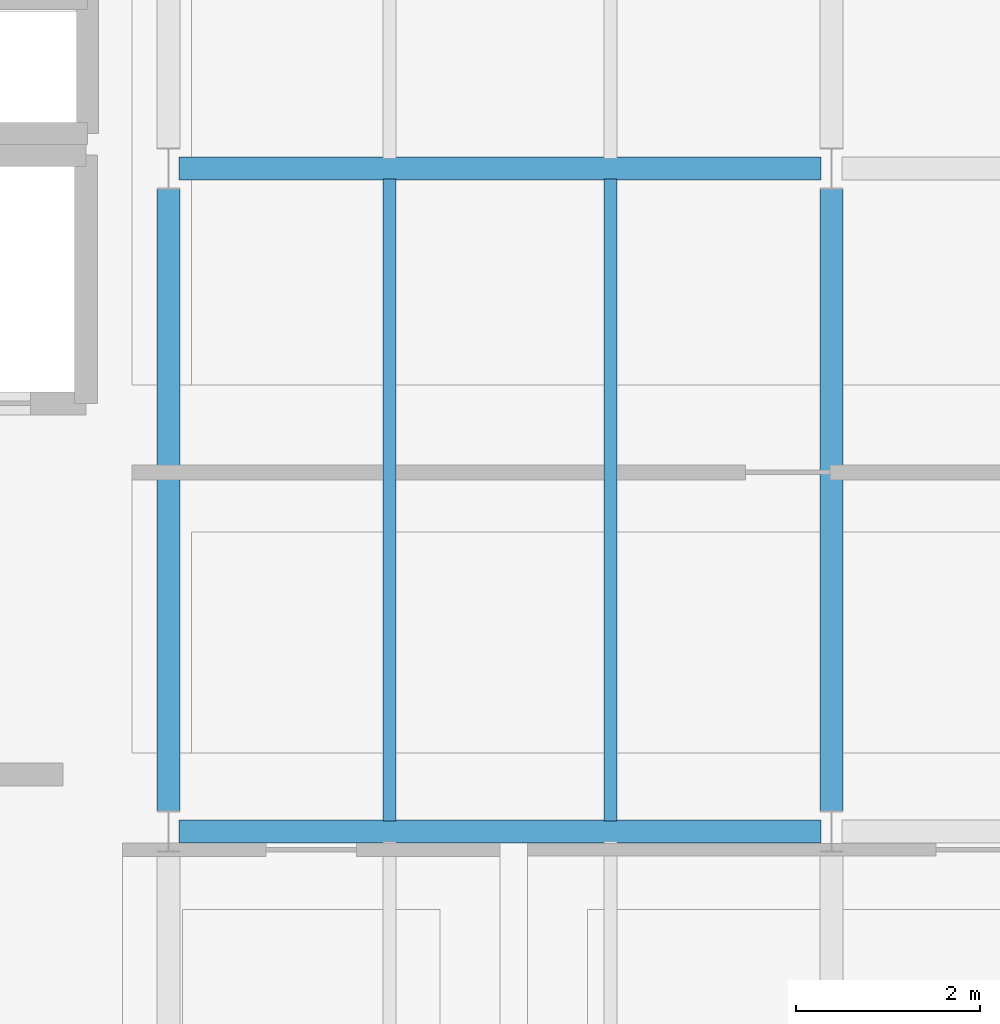
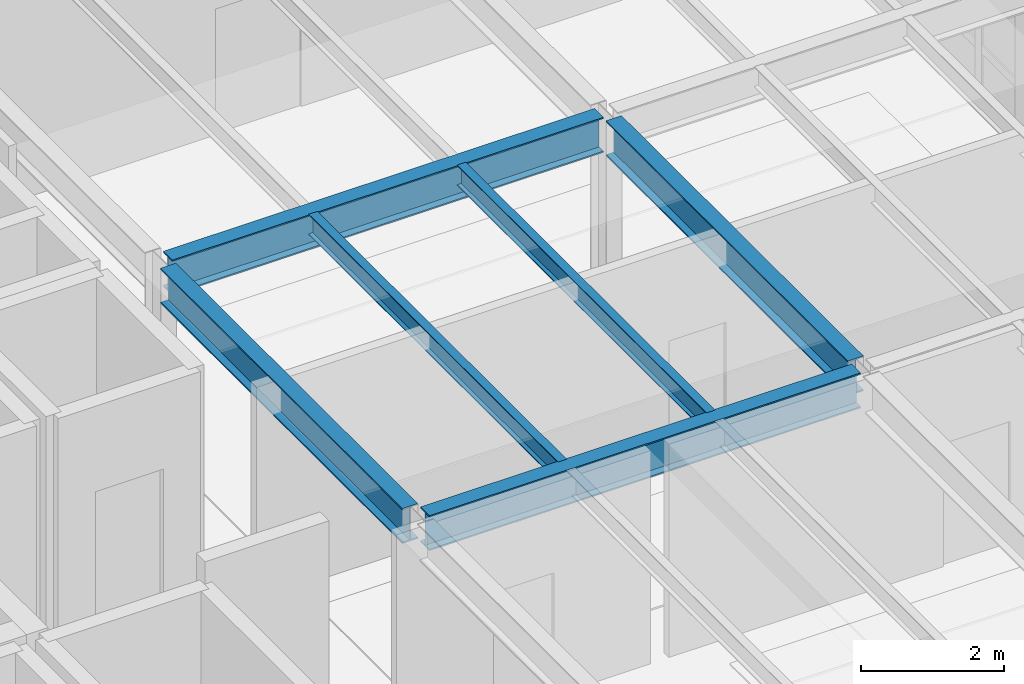
# One storey, part 7 of 32: 6 beams.
"""IFC4 building model written with IfcOpenShell, lengths in metres."""

import ifcopenshell
import ifcopenshell.guid

model = None  # the IFC model being written
_history = None  # IfcOwnerHistory: only IFC2X3 demands one
_inside = {}  # id of a spatial element -> (the spatial element, [elements in it])
_under = {}  # id of a project, library or spatial element -> (it, [spatial elements below it])
_declared = {}  # id of a project -> (the project, [libraries it declares])
_typed = {}  # id of a type object -> (the type object, [elements of that type])
_made_of = {}  # id of a material, layer set ... -> (it, [elements and type objects made of it])


def new_model(schema):
    """Start an empty IFC model of exactly this schema.

    Asked for "IFC4X3", IfcOpenShell would pick the latest addendum, in which some entities
    have other attributes; the version numbers below select the first issue.
    IFC2X3 requires an IfcOwnerHistory on every rooted entity: one is made here for all.
    """
    global model, _history
    if schema == "IFC4X3":
        model = ifcopenshell.file(schema_version=(4, 3, 0, 0))
    else:
        model = ifcopenshell.file(schema=schema)
    _inside.clear()
    _under.clear()
    _declared.clear()
    _typed.clear()
    _made_of.clear()
    _history = None
    if model.schema == "IFC2X3":
        org = make("IfcOrganization", Name="unknown")
        user = make(
            "IfcPersonAndOrganization",
            ThePerson=make("IfcPerson", FamilyName="unknown"),
            TheOrganization=org,
        )
        app = make(
            "IfcApplication",
            ApplicationDeveloper=org,
            Version="unknown",
            ApplicationFullName="unknown",
            ApplicationIdentifier="unknown",
        )
        _history = make(
            "IfcOwnerHistory",
            OwningUser=user,
            OwningApplication=app,
            ChangeAction="ADDED",
            CreationDate=0,
        )
    return model


def make(cls, **values):
    """One entity of the class cls with the attributes given. An attribute that is None is left unset."""
    return model.create_entity(
        cls, **{name: value for name, value in values.items() if value is not None}
    )


def rooted(cls, **values):
    """An entity with a GlobalId (a new one), such as an element, a storey or a relation."""
    return make(cls, GlobalId=ifcopenshell.guid.new(), OwnerHistory=_history, **values)


def si_unit(unit_type, name, prefix=None):
    """IfcSIUnit, for example si_unit("LENGTHUNIT", "METRE", prefix="MILLI")."""
    return make("IfcSIUnit", UnitType=unit_type, Prefix=prefix, Name=name)


def assignment(units):
    """IfcUnitAssignment: the units of a project."""
    return None if units is None else make("IfcUnitAssignment", Units=units)


def point(xyz):
    """IfcCartesianPoint."""
    return None if xyz is None else make("IfcCartesianPoint", Coordinates=xyz)


def direction(xyz):
    """IfcDirection."""
    return None if xyz is None else make("IfcDirection", DirectionRatios=xyz)


def frame(location, z_axis=None, x_axis=None):
    """IfcAxis2Placement3D, a coordinate frame: its origin and axes. An axis left out is left unset."""
    return make(
        "IfcAxis2Placement3D",
        Location=point(location),
        Axis=direction(z_axis),
        RefDirection=direction(x_axis),
    )


def frame_2d(location, x_axis=None):
    """IfcAxis2Placement2D, a coordinate frame in the plane: its origin and x axis."""
    return make(
        "IfcAxis2Placement2D", Location=point(location), RefDirection=direction(x_axis)
    )


def origin():
    """The frame at (0, 0, 0) with its axes left unset."""
    return frame((0.0, 0.0, 0.0))


def origin_2d():
    """The frame at (0, 0) in the plane with its x axis left unset."""
    return frame_2d((0.0, 0.0))


def place(relative_to, where):
    """IfcLocalPlacement: puts the frame where relative to a parent placement (None: the world)."""
    return make(
        "IfcLocalPlacement", PlacementRelTo=relative_to, RelativePlacement=where
    )


def context(
    kind, dimensions, precision=None, world=None, true_north=None, identifier=None
):
    """IfcGeometricRepresentationContext, for example the 3D "Model" context."""
    return make(
        "IfcGeometricRepresentationContext",
        ContextIdentifier=identifier,
        ContextType=kind,
        CoordinateSpaceDimension=dimensions,
        Precision=precision,
        WorldCoordinateSystem=world,
        TrueNorth=true_north,
    )


def subcontext(parent, identifier, kind, view, scale=None):
    """IfcGeometricRepresentationSubContext, for example "Body" below "Model"."""
    return make(
        "IfcGeometricRepresentationSubContext",
        ContextIdentifier=identifier,
        ContextType=kind,
        ParentContext=parent,
        TargetScale=scale,
        TargetView=view,
    )


def project(units=None, contexts=None):
    """IfcProject with its units and contexts."""
    return rooted(
        "IfcProject",
        Name="project",
        RepresentationContexts=contexts,
        UnitsInContext=assignment(units),
    )


def spatial(cls, under=None, at=None, **own):
    """A site, building, storey or space (cls), placed at a placement, below another one or the project."""
    s = rooted(cls, ObjectPlacement=at, **own)
    if under is not None:
        _under.setdefault(under.id(), (under, []))[1].append(s)
    return s


def profile(cls, at=None, kind="AREA", **sizes):
    """A parametric profile (cls). Its sizes go by their IFC names, for example OverallWidth=200.0."""
    return make(cls, ProfileType=kind, Position=at, **sizes)


def i_section(**sizes):
    """IfcIShapeProfileDef."""
    return profile("IfcIShapeProfileDef", **sizes)


def extrude(swept, where, along, depth):
    """IfcExtrudedAreaSolid: the profile swept, set in the frame where, extruded along a direction by depth."""
    return make(
        "IfcExtrudedAreaSolid",
        SweptArea=swept,
        Position=where,
        ExtrudedDirection=direction(along),
        Depth=depth,
    )


def shape(context_of_items, identifier, shape_type, items):
    """IfcShapeRepresentation: the items that make up one representation, for example the "Body"."""
    return make(
        "IfcShapeRepresentation",
        ContextOfItems=context_of_items,
        RepresentationIdentifier=identifier,
        RepresentationType=shape_type,
        Items=items,
    )


def material(Name=None, Category=None):
    """IfcMaterial."""
    return make("IfcMaterial", Name=Name, Category=Category)


def material_profile(
    of_material, cross_section, Name=None, Category=None, Priority=None
):
    """IfcMaterialProfile: a cross section and its material."""
    return make(
        "IfcMaterialProfile",
        Name=Name,
        Material=of_material,
        Profile=cross_section,
        Priority=Priority,
        Category=Category,
    )


def profile_set(profiles, Name=None, composite=None):
    """IfcMaterialProfileSet."""
    return make(
        "IfcMaterialProfileSet",
        Name=Name,
        MaterialProfiles=profiles,
        CompositeProfile=composite,
    )


def made_of(thing, what):
    """Note that an element or type object is made of a material, layer set ...; save() writes the relation."""
    if what is not None:
        _made_of.setdefault(what.id(), (what, []))[1].append(thing)
    return thing


def type_object(cls, material=None, **own):
    """A type object (cls), such as IfcWallType, which elements share."""
    return made_of(rooted(cls, **own), material)


def element(
    cls,
    number,
    at=None,
    inside=None,
    cuts=None,
    type_object=None,
    material=None,
    context=None,
    identifier="Body",
    shape_type=None,
    held_by="IfcProductDefinitionShape",
    body=None,
    shapes=None,
    **own,
):
    """One element of the class cls, such as IfcWall. Its Tag is "e" and its number.

    at: its placement. inside: the storey or other place that contains it. cuts: it is an
    opening in that element (IfcRelVoidsElement). A single representation is given by context,
    identifier, shape_type and body (its items); several are given by shapes. held_by: the class
    of the entity that holds the representations. save() writes the other relations.
    """
    e = rooted(cls, Tag="e%d" % number, ObjectPlacement=at, **own)
    if body is not None:
        shapes = [shape(context, identifier, shape_type, body)]
    if shapes is not None:
        e.Representation = make(held_by, Representations=shapes)
    if inside is not None:
        _inside.setdefault(inside.id(), (inside, []))[1].append(e)
    if cuts is not None:
        rooted(
            "IfcRelVoidsElement", RelatingBuildingElement=cuts, RelatedOpeningElement=e
        )
    if type_object is not None:
        _typed.setdefault(type_object.id(), (type_object, []))[1].append(e)
    return made_of(e, material)


def aggregate(whole, parts):
    """IfcRelAggregates: a whole, such as a stair, and the parts it consists of."""
    return rooted("IfcRelAggregates", RelatingObject=whole, RelatedObjects=parts)


def save(model, path):
    """Write the relations noted so far, then the file.

    IfcRelAggregates (storeys below a building ...), IfcRelContainedInSpatialStructure (elements
    in a storey), IfcRelDefinesByType, IfcRelAssociatesMaterial and IfcRelDeclares: one each for
    every whole, place, type object, material and project.
    """
    for whole, parts in _under.values():
        aggregate(whole, parts)
    for where, things in _inside.values():
        rooted(
            "IfcRelContainedInSpatialStructure",
            RelatedElements=things,
            RelatingStructure=where,
        )
    for kind, things in _typed.values():
        rooted("IfcRelDefinesByType", RelatedObjects=things, RelatingType=kind)
    for what, things in _made_of.values():
        rooted("IfcRelAssociatesMaterial", RelatedObjects=things, RelatingMaterial=what)
    for by, libraries in _declared.values():
        rooted("IfcRelDeclares", RelatingContext=by, RelatedDefinitions=libraries)
    model.write(path)


model = new_model("IFC4")

# Units and contexts
model_context = context("Model", 3, precision=1e-05, world=origin(), true_north=direction((0.0, 1.0)))
body_context = subcontext(model_context, "Body", "Model", "MODEL_VIEW")
ifc_project = project(units=[si_unit("LENGTHUNIT", "METRE"), si_unit("AREAUNIT", "SQUARE_METRE"), si_unit("VOLUMEUNIT", "CUBIC_METRE"), si_unit("PLANEANGLEUNIT", "RADIAN"), si_unit("MASSUNIT", "GRAM", prefix="KILO")], contexts=[model_context])

# Site, building, storey
site_placement = place(None, origin())
site = spatial("IfcSite", under=ifc_project, at=site_placement, CompositionType="ELEMENT")
building_placement = place(site_placement, origin())
building = spatial("IfcBuilding", under=site, at=building_placement, Name="Kandorven Conservatory and Botanical Research Centre", CompositionType="ELEMENT")
storey_placement = place(building_placement, frame((0.0, 0.0, 17.10009765625)))
storey = spatial("IfcBuildingStorey", under=building, at=storey_placement, Name="L04", CompositionType="ELEMENT", Elevation=17.10009765625)

# Beams
ifc_material_1 = material(Name="Steel S355 (IS 2062 E350)", Category="steel")
ifc_material_profile_1 = material_profile(ifc_material_1, i_section(OverallWidth=0.25, OverallDepth=0.60009765625, WebThickness=0.01171875, FlangeThickness=0.023681640625, at=origin_2d()))
ifc_profile_set_1 = profile_set([ifc_material_profile_1], Name="Steel S355 (IS 2062 E350)")
beam_type_1 = type_object("IfcBeamType", Name="Beam_FG-01", PredefinedType="USERDEFINED", material=ifc_profile_set_1)
for number, where, z_axis, x_axis, name in (
    (1, (27.715087890625, 13.199951171875, 3.35986328125), (1.0, 0.0, 0.0), (0.0, 1.0, 0.0), "Primary girder FG-01 TWR L04"),
    (2, (27.715087890625, 20.39990234375, 3.35986328125), (1.0, 0.0, 0.0), (0.0, 1.0, 0.0), "Primary girder FG-01 TWR L04"),
):
    element("IfcBeam", number, at=place(storey_placement, frame(where, z_axis=z_axis, x_axis=x_axis)), inside=storey, type_object=beam_type_1, Name=name, ObjectType="GIRDER", PredefinedType="USERDEFINED", context=body_context, shape_type="SweptSolid", body=[
        extrude(i_section(OverallWidth=0.25, OverallDepth=0.60009765625, WebThickness=0.01171875, FlangeThickness=0.023681640625, at=origin_2d()), origin(), (0.0, 0.0, 1.0), 6.969970703125),
    ])
for number, where, z_axis, x_axis, name in (
    (3, (27.60009765625, 13.4150390625, 3.35986328125), (0.0, 1.0, 0.0), (-1.0, 0.0, 0.0), "Primary girder FG-01 TWR L04"),
    (4, (34.800048828125, 13.4150390625, 3.35986328125), (0.0, 1.0, 0.0), (-1.0, 0.0, 0.0), "Primary girder FG-01 TWR L04"),
):
    element("IfcBeam", number, at=place(storey_placement, frame(where, z_axis=z_axis, x_axis=x_axis)), inside=storey, type_object=beam_type_1, Name=name, ObjectType="GIRDER", PredefinedType="USERDEFINED", context=body_context, shape_type="SweptSolid", body=[
        extrude(i_section(OverallWidth=0.25, OverallDepth=0.60009765625, WebThickness=0.01171875, FlangeThickness=0.023681640625, at=origin_2d()), origin(), (0.0, 0.0, 1.0), 6.77001953125),
    ])
ifc_material_2 = material(Name="Steel S355 (IS 2062 E350)", Category="steel")
ifc_material_profile_2 = material_profile(ifc_material_2, i_section(OverallWidth=0.139892578125, OverallDepth=0.35009765625, WebThickness=0.008056640625, FlangeThickness=0.01416015625, at=origin_2d()))
ifc_profile_set_2 = profile_set([ifc_material_profile_2], Name="Steel S355 (IS 2062 E350)")
beam_type_2 = type_object("IfcBeamType", Name="Beam_SB-06", PredefinedType="BEAM", material=ifc_profile_set_2)
for number, where, z_axis, x_axis, name in (
    (5, (30.0, 13.31005859375, 3.48486328125), (0.0, 1.0, 0.0), (-1.0, 0.0, 0.0), "Composite secondary beam SB-06 TWR L04"),
    (6, (32.39990234375, 13.31005859375, 3.48486328125), (0.0, 1.0, 0.0), (-1.0, 0.0, 0.0), "Composite secondary beam SB-06 TWR L04"),
):
    element("IfcBeam", number, at=place(storey_placement, frame(where, z_axis=z_axis, x_axis=x_axis)), inside=storey, type_object=beam_type_2, Name=name, PredefinedType="BEAM", context=body_context, shape_type="SweptSolid", body=[
        extrude(i_section(OverallWidth=0.139892578125, OverallDepth=0.35009765625, WebThickness=0.008056640625, FlangeThickness=0.01416015625, at=origin_2d()), origin(), (0.0, 0.0, 1.0), 6.97998046875),
    ])

save(model, "model.ifc")
